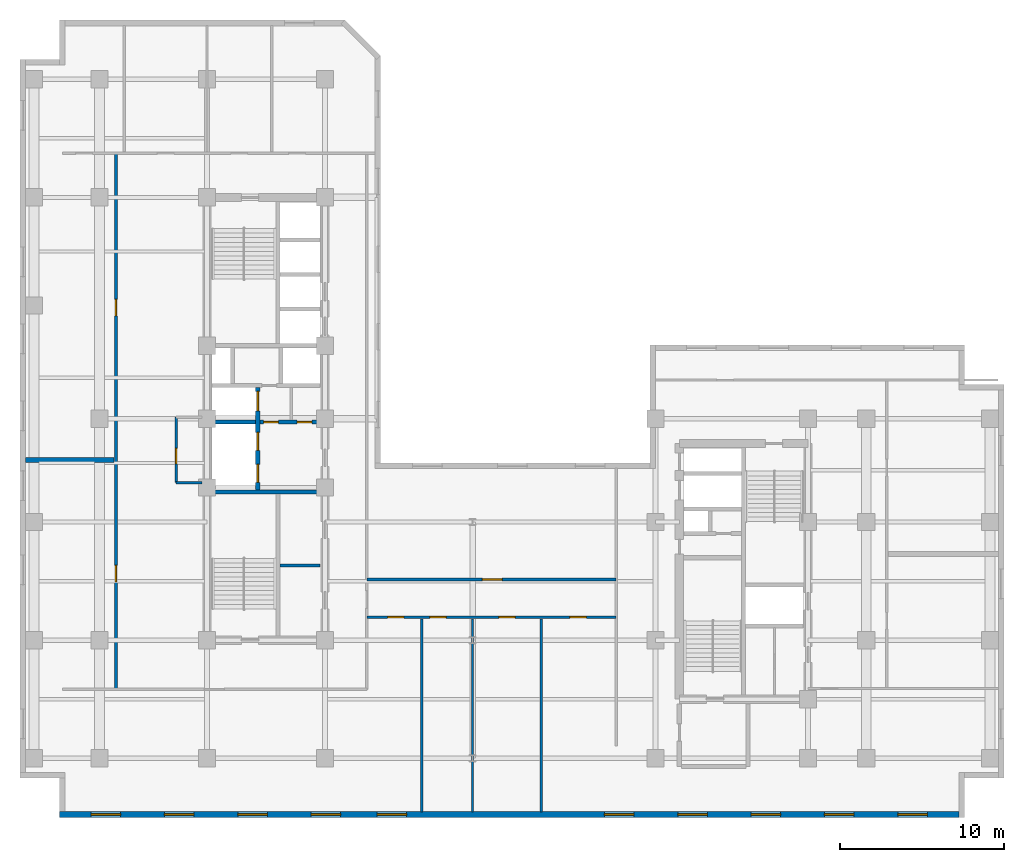
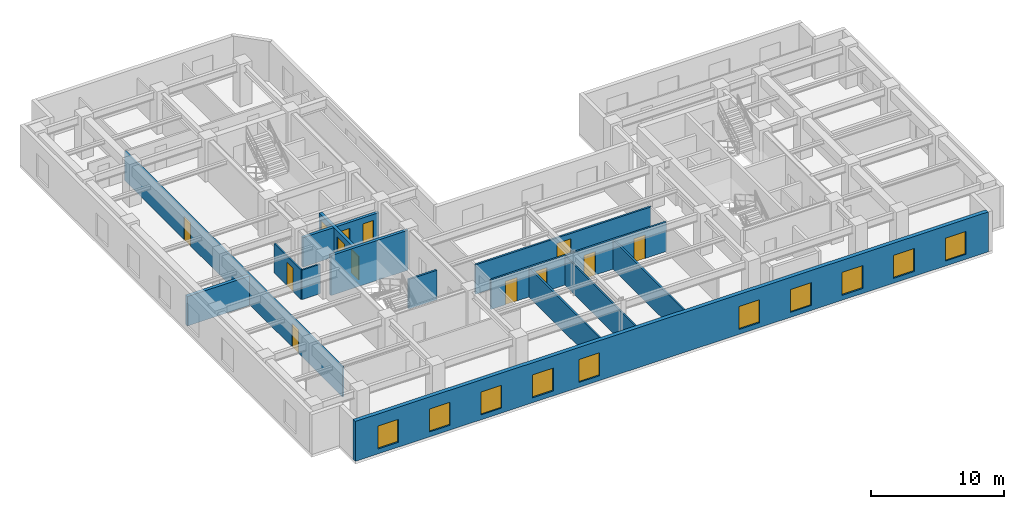
# One storey, part 3 of 9: 14 walls, 13 doors, 10 windows, 23 openings.
"""IFC4 building model written with IfcOpenShell, lengths in metres."""

from ifc_helpers import new_model, entity, si_unit, converted_unit, direction, frame, origin_with_axes, origin_2d_with_axis, place, context, subcontext, project, spatial, polyline, rectangle, outline, extrude, material, layer, layer_set, type_object, element, fill, save


model = new_model("IFC4")

# Units and contexts
model_context = context("Model", 3, precision=1e-05, world=origin_with_axes(), true_north=direction((0.0, 1.0)))
body_context = subcontext(model_context, "Body", "Model", "MODEL_VIEW")
ifc_project = project(units=[si_unit("LENGTHUNIT", "METRE"), si_unit("AREAUNIT", "SQUARE_METRE"), si_unit("VOLUMEUNIT", "CUBIC_METRE"), converted_unit("PLANEANGLEUNIT", "DEGREE", entity("IfcPlaneAngleMeasure", 0.017453292519943295), si_unit("PLANEANGLEUNIT", "RADIAN"), dimensions=[0, 0, 0, 0, 0, 0, 0]), si_unit("MASSUNIT", "GRAM", prefix="KILO"), si_unit("THERMODYNAMICTEMPERATUREUNIT", "KELVIN")], contexts=[model_context])

# Site, building, storey
site_placement = place(None, origin_with_axes())
site = spatial("IfcSite", under=ifc_project, at=site_placement, CompositionType="ELEMENT")
building_placement = place(site_placement, origin_with_axes())
building = spatial("IfcBuilding", under=site, at=building_placement, Name="Varnlund Millrace Tower", CompositionType="ELEMENT")
storey_placement = place(building_placement, frame((0.0, 0.0, 140.7), z_axis=(0.0, 0.0, 1.0), x_axis=(1.0, 0.0, 0.0)))
storey = spatial("IfcBuildingStorey", under=building, at=storey_placement, Name="L34", CompositionType="ELEMENT", Elevation=140.7)

# Wall, openings, windows
ifc_material_1 = material(Name="Precast concrete C50/60", Category="concrete")
ifc_layer_1 = layer(ifc_material_1, 0.34, Name="Precast concrete C50/60")
ifc_layer_set_1 = layer_set([ifc_layer_1], Name="Precast concrete C50/60")
wall_type_1 = type_object("IfcWallType", Name="Type-ExtWall-Precast-Upper-340", PredefinedType="SOLIDWALL", material=ifc_layer_set_1)
wall_1_placement = place(storey_placement, frame((57.26, 0.17, 0.0), z_axis=(0.0, 0.0, 1.0), x_axis=(-1.0, 0.0, 0.0)))
wall_1 = element("IfcWall", 1, at=wall_1_placement, inside=storey, type_object=wall_type_1, Name="Type-ExtWall-Precast-Upper-340", PredefinedType="SOLIDWALL", context=body_context, shape_type="SweptSolid", body=[
    extrude(outline(polyline([(0.0, -0.17), (54.86, -0.17), (54.86, 0.17), (0.0, 0.17), (0.0, -0.17)])), origin_with_axes(), (0.0, 0.0, 1.0), 3.66),
])
opening_1_placement = place(wall_1_placement, frame((2.836, 0.0, 0.45), z_axis=(0.0, 0.0, 1.0), x_axis=(1.0, 0.0, 0.0)))
opening_1 = element("IfcOpeningElement", 2, at=opening_1_placement, cuts=wall_1, Name="Opening L34:WN-08", PredefinedType="OPENING", context=body_context, shape_type="SweptSolid", body=[
    extrude(rectangle(XDim=1.8, YDim=0.36, at=origin_2d_with_axis()), origin_with_axes(), (0.0, 0.0, 1.0), 2.1),
])
opening_2_placement = place(wall_1_placement, frame((7.307, 0.0, 0.45), z_axis=(0.0, 0.0, 1.0), x_axis=(1.0, 0.0, 0.0)))
opening_2 = element("IfcOpeningElement", 3, at=opening_2_placement, cuts=wall_1, Name="Opening L34:WN-09", PredefinedType="OPENING", context=body_context, shape_type="SweptSolid", body=[
    extrude(rectangle(XDim=1.8, YDim=0.36, at=origin_2d_with_axis()), origin_with_axes(), (0.0, 0.0, 1.0), 2.1),
])
opening_3_placement = place(wall_1_placement, frame((11.779, 0.0, 0.45), z_axis=(0.0, 0.0, 1.0), x_axis=(1.0, 0.0, 0.0)))
opening_3 = element("IfcOpeningElement", 4, at=opening_3_placement, cuts=wall_1, Name="Opening L34:WN-10", PredefinedType="OPENING", context=body_context, shape_type="SweptSolid", body=[
    extrude(rectangle(XDim=1.8, YDim=0.36, at=origin_2d_with_axis()), origin_with_axes(), (0.0, 0.0, 1.0), 2.1),
])
opening_4_placement = place(wall_1_placement, frame((16.251, 0.0, 0.45), z_axis=(0.0, 0.0, 1.0), x_axis=(1.0, 0.0, 0.0)))
opening_4 = element("IfcOpeningElement", 5, at=opening_4_placement, cuts=wall_1, Name="Opening L34:WN-11", PredefinedType="OPENING", context=body_context, shape_type="SweptSolid", body=[
    extrude(rectangle(XDim=1.8, YDim=0.36, at=origin_2d_with_axis()), origin_with_axes(), (0.0, 0.0, 1.0), 2.1),
])
opening_5_placement = place(wall_1_placement, frame((20.723, 0.0, 0.45), z_axis=(0.0, 0.0, 1.0), x_axis=(1.0, 0.0, 0.0)))
opening_5 = element("IfcOpeningElement", 6, at=opening_5_placement, cuts=wall_1, Name="Opening L34:WN-12", PredefinedType="OPENING", context=body_context, shape_type="SweptSolid", body=[
    extrude(rectangle(XDim=1.8, YDim=0.36, at=origin_2d_with_axis()), origin_with_axes(), (0.0, 0.0, 1.0), 2.1),
])
opening_6_placement = place(wall_1_placement, frame((34.588, 0.0, 0.45), z_axis=(0.0, 0.0, 1.0), x_axis=(1.0, 0.0, 0.0)))
opening_6 = element("IfcOpeningElement", 7, at=opening_6_placement, cuts=wall_1, Name="Opening L34:WN-13", PredefinedType="OPENING", context=body_context, shape_type="SweptSolid", body=[
    extrude(rectangle(XDim=1.8, YDim=0.36, at=origin_2d_with_axis()), origin_with_axes(), (0.0, 0.0, 1.0), 2.1),
])
opening_7_placement = place(wall_1_placement, frame((38.609, 0.0, 0.45), z_axis=(0.0, 0.0, 1.0), x_axis=(1.0, 0.0, 0.0)))
opening_7 = element("IfcOpeningElement", 8, at=opening_7_placement, cuts=wall_1, Name="Opening L34:WN-14", PredefinedType="OPENING", context=body_context, shape_type="SweptSolid", body=[
    extrude(rectangle(XDim=1.8, YDim=0.36, at=origin_2d_with_axis()), origin_with_axes(), (0.0, 0.0, 1.0), 2.1),
])
opening_8_placement = place(wall_1_placement, frame((43.081, 0.0, 0.45), z_axis=(0.0, 0.0, 1.0), x_axis=(1.0, 0.0, 0.0)))
opening_8 = element("IfcOpeningElement", 9, at=opening_8_placement, cuts=wall_1, Name="Opening L34:WN-15", PredefinedType="OPENING", context=body_context, shape_type="SweptSolid", body=[
    extrude(rectangle(XDim=1.8, YDim=0.36, at=origin_2d_with_axis()), origin_with_axes(), (0.0, 0.0, 1.0), 2.1),
])
opening_9_placement = place(wall_1_placement, frame((47.553, 0.0, 0.45), z_axis=(0.0, 0.0, 1.0), x_axis=(1.0, 0.0, 0.0)))
opening_9 = element("IfcOpeningElement", 10, at=opening_9_placement, cuts=wall_1, Name="Opening L34:WN-16", PredefinedType="OPENING", context=body_context, shape_type="SweptSolid", body=[
    extrude(rectangle(XDim=1.8, YDim=0.36, at=origin_2d_with_axis()), origin_with_axes(), (0.0, 0.0, 1.0), 2.1),
])
opening_10_placement = place(wall_1_placement, frame((52.024, 0.0, 0.45), z_axis=(0.0, 0.0, 1.0), x_axis=(1.0, 0.0, 0.0)))
opening_10 = element("IfcOpeningElement", 11, at=opening_10_placement, cuts=wall_1, Name="Opening L34:WN-17", PredefinedType="OPENING", context=body_context, shape_type="SweptSolid", body=[
    extrude(rectangle(XDim=1.8, YDim=0.36, at=origin_2d_with_axis()), origin_with_axes(), (0.0, 0.0, 1.0), 2.1),
])
ifc_material_2 = material(Name="Argon low-e triple glazing in thermally broken bronze frame", Category="glass")
window_type = type_object("IfcWindowType", Name="Type-Window-Punched-1800X2100", PartitioningType="SINGLE_PANEL", PredefinedType="WINDOW", material=ifc_material_2)
window_1_placement = place(wall_1_placement, frame((2.836, 0.0, 0.45), z_axis=(0.0, 0.0, 1.0), x_axis=(1.0, 0.0, 0.0)))
window_1 = element("IfcWindow", 12, at=window_1_placement, inside=storey, type_object=window_type, Name="Type-Window-Punched-1800X2100", OverallHeight=2.1, OverallWidth=1.8, PredefinedType="WINDOW", context=body_context, shape_type="SweptSolid", body=[
    extrude(rectangle(XDim=1.8, YDim=0.09, at=origin_2d_with_axis()), origin_with_axes(), (0.0, 0.0, 1.0), 2.1),
])
fill(opening_1, window_1)
window_2_placement = place(wall_1_placement, frame((7.307, 0.0, 0.45), z_axis=(0.0, 0.0, 1.0), x_axis=(1.0, 0.0, 0.0)))
window_2 = element("IfcWindow", 13, at=window_2_placement, inside=storey, type_object=window_type, Name="Type-Window-Punched-1800X2100", OverallHeight=2.1, OverallWidth=1.8, PredefinedType="WINDOW", context=body_context, shape_type="SweptSolid", body=[
    extrude(rectangle(XDim=1.8, YDim=0.09, at=origin_2d_with_axis()), origin_with_axes(), (0.0, 0.0, 1.0), 2.1),
])
fill(opening_2, window_2)
window_3_placement = place(wall_1_placement, frame((11.779, 0.0, 0.45), z_axis=(0.0, 0.0, 1.0), x_axis=(1.0, 0.0, 0.0)))
window_3 = element("IfcWindow", 14, at=window_3_placement, inside=storey, type_object=window_type, Name="Type-Window-Punched-1800X2100", OverallHeight=2.1, OverallWidth=1.8, PredefinedType="WINDOW", context=body_context, shape_type="SweptSolid", body=[
    extrude(rectangle(XDim=1.8, YDim=0.09, at=origin_2d_with_axis()), origin_with_axes(), (0.0, 0.0, 1.0), 2.1),
])
fill(opening_3, window_3)
window_4_placement = place(wall_1_placement, frame((16.251, 0.0, 0.45), z_axis=(0.0, 0.0, 1.0), x_axis=(1.0, 0.0, 0.0)))
window_4 = element("IfcWindow", 15, at=window_4_placement, inside=storey, type_object=window_type, Name="Type-Window-Punched-1800X2100", OverallHeight=2.1, OverallWidth=1.8, PredefinedType="WINDOW", context=body_context, shape_type="SweptSolid", body=[
    extrude(rectangle(XDim=1.8, YDim=0.09, at=origin_2d_with_axis()), origin_with_axes(), (0.0, 0.0, 1.0), 2.1),
])
fill(opening_4, window_4)
window_5_placement = place(wall_1_placement, frame((20.723, 0.0, 0.45), z_axis=(0.0, 0.0, 1.0), x_axis=(1.0, 0.0, 0.0)))
window_5 = element("IfcWindow", 16, at=window_5_placement, inside=storey, type_object=window_type, Name="Type-Window-Punched-1800X2100", OverallHeight=2.1, OverallWidth=1.8, PredefinedType="WINDOW", context=body_context, shape_type="SweptSolid", body=[
    extrude(rectangle(XDim=1.8, YDim=0.09, at=origin_2d_with_axis()), origin_with_axes(), (0.0, 0.0, 1.0), 2.1),
])
fill(opening_5, window_5)
window_6_placement = place(wall_1_placement, frame((34.588, 0.0, 0.45), z_axis=(0.0, 0.0, 1.0), x_axis=(1.0, 0.0, 0.0)))
window_6 = element("IfcWindow", 17, at=window_6_placement, inside=storey, type_object=window_type, Name="Type-Window-Punched-1800X2100", OverallHeight=2.1, OverallWidth=1.8, PredefinedType="WINDOW", context=body_context, shape_type="SweptSolid", body=[
    extrude(rectangle(XDim=1.8, YDim=0.09, at=origin_2d_with_axis()), origin_with_axes(), (0.0, 0.0, 1.0), 2.1),
])
fill(opening_6, window_6)
window_7_placement = place(wall_1_placement, frame((38.609, 0.0, 0.45), z_axis=(0.0, 0.0, 1.0), x_axis=(1.0, 0.0, 0.0)))
window_7 = element("IfcWindow", 18, at=window_7_placement, inside=storey, type_object=window_type, Name="Type-Window-Punched-1800X2100", OverallHeight=2.1, OverallWidth=1.8, PredefinedType="WINDOW", context=body_context, shape_type="SweptSolid", body=[
    extrude(rectangle(XDim=1.8, YDim=0.09, at=origin_2d_with_axis()), origin_with_axes(), (0.0, 0.0, 1.0), 2.1),
])
fill(opening_7, window_7)
window_8_placement = place(wall_1_placement, frame((43.081, 0.0, 0.45), z_axis=(0.0, 0.0, 1.0), x_axis=(1.0, 0.0, 0.0)))
window_8 = element("IfcWindow", 19, at=window_8_placement, inside=storey, type_object=window_type, Name="Type-Window-Punched-1800X2100", OverallHeight=2.1, OverallWidth=1.8, PredefinedType="WINDOW", context=body_context, shape_type="SweptSolid", body=[
    extrude(rectangle(XDim=1.8, YDim=0.09, at=origin_2d_with_axis()), origin_with_axes(), (0.0, 0.0, 1.0), 2.1),
])
fill(opening_8, window_8)
window_9_placement = place(wall_1_placement, frame((47.553, 0.0, 0.45), z_axis=(0.0, 0.0, 1.0), x_axis=(1.0, 0.0, 0.0)))
window_9 = element("IfcWindow", 20, at=window_9_placement, inside=storey, type_object=window_type, Name="Type-Window-Punched-1800X2100", OverallHeight=2.1, OverallWidth=1.8, PredefinedType="WINDOW", context=body_context, shape_type="SweptSolid", body=[
    extrude(rectangle(XDim=1.8, YDim=0.09, at=origin_2d_with_axis()), origin_with_axes(), (0.0, 0.0, 1.0), 2.1),
])
fill(opening_9, window_9)
window_10_placement = place(wall_1_placement, frame((52.024, 0.0, 0.45), z_axis=(0.0, 0.0, 1.0), x_axis=(1.0, 0.0, 0.0)))
window_10 = element("IfcWindow", 21, at=window_10_placement, inside=storey, type_object=window_type, Name="Type-Window-Punched-1800X2100", OverallHeight=2.1, OverallWidth=1.8, PredefinedType="WINDOW", context=body_context, shape_type="SweptSolid", body=[
    extrude(rectangle(XDim=1.8, YDim=0.09, at=origin_2d_with_axis()), origin_with_axes(), (0.0, 0.0, 1.0), 2.1),
])
fill(opening_10, window_10)

# Walls
ifc_material_3 = material(Name="Double-stud STC-60 conference acoustic partition", Category="gypsum")
ifc_layer_2 = layer(ifc_material_3, 0.28, Name="Double-stud STC-60 conference acoustic partition")
ifc_layer_set_2 = layer_set([ifc_layer_2], Name="Double-stud STC-60 conference acoustic partition")
wall_type_2 = type_object("IfcWallType", Name="Type-Partition-Acoustic-280", PredefinedType="PARTITIONING", material=ifc_layer_set_2)
wall_2_placement = place(storey_placement, frame((0.335, 21.783, 0.0), z_axis=(0.0, 0.0, 1.0), x_axis=(1.0, 0.0, 0.0)))
element("IfcWall", 22, at=wall_2_placement, inside=storey, type_object=wall_type_2, Name="Type-Partition-Acoustic-280", PredefinedType="PARTITIONING", context=body_context, shape_type="SweptSolid", body=[
    extrude(outline(polyline([(0.0, -0.14), (5.395, -0.14), (5.395, 0.14), (0.0, 0.14), (0.0, -0.14)])), origin_with_axes(), (0.0, 0.0, 1.0), 2.7),
])
ifc_material_4 = material(Name="Fire-rated gypsum board on cold-formed steel framing", Category="steel")
ifc_layer_3 = layer(ifc_material_4, 0.16, Name="Fire-rated gypsum board on cold-formed steel framing")
ifc_layer_set_3 = layer_set([ifc_layer_3], Name="Fire-rated gypsum board on cold-formed steel framing")
wall_type_3 = type_object("IfcWallType", Name="Type-Partition-Corridor-160", PredefinedType="PARTITIONING", material=ifc_layer_set_3)
wall_3_placement = place(storey_placement, frame((15.84, 15.35, 0.0), z_axis=(0.0, 0.0, 1.0), x_axis=(1.0, 0.0, 0.0)))
element("IfcWall", 23, at=wall_3_placement, inside=storey, type_object=wall_type_3, Name="Type-Partition-Corridor-160", PredefinedType="PARTITIONING", context=body_context, shape_type="SweptSolid", body=[
    extrude(outline(polyline([(0.0, -0.08), (2.46, -0.08), (2.46, 0.08), (0.0, 0.08), (0.0, -0.08)])), origin_with_axes(), (0.0, 0.0, 1.0), 2.7),
])

# Wall, openings, doors
wall_4_placement = place(storey_placement, frame((5.85, 7.8, 0.0), z_axis=(0.0, 0.0, 1.0), x_axis=(0.0, 1.0, 0.0)))
wall_4 = element("IfcWall", 24, at=wall_4_placement, inside=storey, type_object=wall_type_3, Name="Type-Partition-Corridor-160", PredefinedType="PARTITIONING", context=body_context, shape_type="SweptSolid", body=[
    extrude(outline(polyline([(0.0, -0.08), (32.7, -0.08), (32.7, 0.08), (0.0, 0.08), (0.0, -0.08)])), origin_with_axes(), (0.0, 0.0, 1.0), 2.7),
])
opening_11_placement = place(wall_4_placement, frame((7.0565, 0.0, 0.0), z_axis=(0.0, 0.0, 1.0), x_axis=(1.0, 0.0, 0.0)))
opening_11 = element("IfcOpeningElement", 25, at=opening_11_placement, cuts=wall_4, Name="Opening L34:DR-W-01", PredefinedType="OPENING", context=body_context, shape_type="SweptSolid", body=[
    extrude(rectangle(XDim=1.0, YDim=0.18, at=origin_2d_with_axis()), origin_with_axes(), (0.0, 0.0, 1.0), 2.15),
])
opening_12_placement = place(wall_4_placement, frame((23.2765, 0.0, 0.0), z_axis=(0.0, 0.0, 1.0), x_axis=(1.0, 0.0, 0.0)))
opening_12 = element("IfcOpeningElement", 26, at=opening_12_placement, cuts=wall_4, Name="Opening L34:DR-W-02", PredefinedType="OPENING", context=body_context, shape_type="SweptSolid", body=[
    extrude(rectangle(XDim=1.0, YDim=0.18, at=origin_2d_with_axis()), origin_with_axes(), (0.0, 0.0, 1.0), 2.15),
])
ifc_material_5 = material(Name="Solid-core white oak and bronze frame door")
door_type_1 = type_object("IfcDoorType", Name="Type-IntDoor-Office-1000X2150", OperationType="NOTDEFINED", PredefinedType="DOOR", material=ifc_material_5)
door_1_placement = place(wall_4_placement, frame((7.0565, 0.0, 0.0), z_axis=(0.0, 0.0, 1.0), x_axis=(1.0, 0.0, 0.0)))
door_1 = element("IfcDoor", 27, at=door_1_placement, inside=storey, type_object=door_type_1, Name="Type-IntDoor-Office-1000X2150", OperationType="SINGLE_SWING_LEFT", OverallHeight=2.15, OverallWidth=1.0, PredefinedType="DOOR", context=body_context, shape_type="SweptSolid", body=[
    extrude(rectangle(XDim=1.0, YDim=0.09, at=origin_2d_with_axis()), origin_with_axes(), (0.0, 0.0, 1.0), 2.15),
])
fill(opening_11, door_1)
door_2_placement = place(wall_4_placement, frame((23.2765, 0.0, 0.0), z_axis=(0.0, 0.0, 1.0), x_axis=(1.0, 0.0, 0.0)))
door_2 = element("IfcDoor", 28, at=door_2_placement, inside=storey, type_object=door_type_1, Name="Type-IntDoor-Office-1000X2150", OperationType="SINGLE_SWING_RIGHT", OverallHeight=2.15, OverallWidth=1.0, PredefinedType="DOOR", context=body_context, shape_type="SweptSolid", body=[
    extrude(rectangle(XDim=1.0, YDim=0.09, at=origin_2d_with_axis()), origin_with_axes(), (0.0, 0.0, 1.0), 2.15),
])
fill(opening_12, door_2)

wall_5_placement = place(storey_placement, frame((21.15, 12.2, 0.0), z_axis=(0.0, 0.0, 1.0), x_axis=(1.0, 0.0, 0.0)))
wall_5 = element("IfcWall", 29, at=wall_5_placement, inside=storey, type_object=wall_type_3, Name="Type-Partition-Corridor-160", PredefinedType="PARTITIONING", context=body_context, shape_type="SweptSolid", body=[
    extrude(outline(polyline([(0.0, -0.08), (15.2, -0.08), (15.2, 0.08), (0.0, 0.08), (0.0, -0.08)])), origin_with_axes(), (0.0, 0.0, 1.0), 2.7),
])
opening_13_placement = place(wall_5_placement, frame((1.7645, 0.0, 0.0), z_axis=(0.0, 0.0, 1.0), x_axis=(1.0, 0.0, 0.0)))
opening_13 = element("IfcOpeningElement", 30, at=opening_13_placement, cuts=wall_5, Name="Opening L34:DR-KNS-01", PredefinedType="OPENING", context=body_context, shape_type="SweptSolid", body=[
    extrude(rectangle(XDim=1.0, YDim=0.18, at=origin_2d_with_axis()), origin_with_axes(), (0.0, 0.0, 1.0), 2.15),
])
opening_14_placement = place(wall_5_placement, frame((4.34, 0.0, 0.0), z_axis=(0.0, 0.0, 1.0), x_axis=(1.0, 0.0, 0.0)))
opening_14 = element("IfcOpeningElement", 31, at=opening_14_placement, cuts=wall_5, Name="Opening L34:DR-KNS-02", PredefinedType="OPENING", context=body_context, shape_type="SweptSolid", body=[
    extrude(rectangle(XDim=1.0, YDim=0.18, at=origin_2d_with_axis()), origin_with_axes(), (0.0, 0.0, 1.0), 2.15),
])
opening_15_placement = place(wall_5_placement, frame((8.545, 0.0, 0.0), z_axis=(0.0, 0.0, 1.0), x_axis=(1.0, 0.0, 0.0)))
opening_15 = element("IfcOpeningElement", 32, at=opening_15_placement, cuts=wall_5, Name="Opening L34:DR-KNS-03", PredefinedType="OPENING", context=body_context, shape_type="SweptSolid", body=[
    extrude(rectangle(XDim=1.0, YDim=0.18, at=origin_2d_with_axis()), origin_with_axes(), (0.0, 0.0, 1.0), 2.15),
])
opening_16_placement = place(wall_5_placement, frame((12.88, 0.0, 0.0), z_axis=(0.0, 0.0, 1.0), x_axis=(1.0, 0.0, 0.0)))
opening_16 = element("IfcOpeningElement", 33, at=opening_16_placement, cuts=wall_5, Name="Opening L34:DR-KNS-04", PredefinedType="OPENING", context=body_context, shape_type="SweptSolid", body=[
    extrude(rectangle(XDim=1.0, YDim=0.18, at=origin_2d_with_axis()), origin_with_axes(), (0.0, 0.0, 1.0), 2.15),
])
door_3_placement = place(wall_5_placement, frame((1.7645, 0.0, 0.0), z_axis=(0.0, 0.0, 1.0), x_axis=(1.0, 0.0, 0.0)))
door_3 = element("IfcDoor", 34, at=door_3_placement, inside=storey, type_object=door_type_1, Name="Type-IntDoor-Office-1000X2150", OperationType="SINGLE_SWING_LEFT", OverallHeight=2.15, OverallWidth=1.0, PredefinedType="DOOR", context=body_context, shape_type="SweptSolid", body=[
    extrude(rectangle(XDim=1.0, YDim=0.09, at=origin_2d_with_axis()), origin_with_axes(), (0.0, 0.0, 1.0), 2.15),
])
fill(opening_13, door_3)
door_4_placement = place(wall_5_placement, frame((4.34, 0.0, 0.0), z_axis=(0.0, 0.0, 1.0), x_axis=(1.0, 0.0, 0.0)))
door_4 = element("IfcDoor", 35, at=door_4_placement, inside=storey, type_object=door_type_1, Name="Type-IntDoor-Office-1000X2150", OperationType="SINGLE_SWING_RIGHT", OverallHeight=2.15, OverallWidth=1.0, PredefinedType="DOOR", context=body_context, shape_type="SweptSolid", body=[
    extrude(rectangle(XDim=1.0, YDim=0.09, at=origin_2d_with_axis()), origin_with_axes(), (0.0, 0.0, 1.0), 2.15),
])
fill(opening_14, door_4)
door_5_placement = place(wall_5_placement, frame((8.545, 0.0, 0.0), z_axis=(0.0, 0.0, 1.0), x_axis=(1.0, 0.0, 0.0)))
door_5 = element("IfcDoor", 36, at=door_5_placement, inside=storey, type_object=door_type_1, Name="Type-IntDoor-Office-1000X2150", OperationType="SINGLE_SWING_LEFT", OverallHeight=2.15, OverallWidth=1.0, PredefinedType="DOOR", context=body_context, shape_type="SweptSolid", body=[
    extrude(rectangle(XDim=1.0, YDim=0.09, at=origin_2d_with_axis()), origin_with_axes(), (0.0, 0.0, 1.0), 2.15),
])
fill(opening_15, door_5)
door_6_placement = place(wall_5_placement, frame((12.88, 0.0, 0.0), z_axis=(0.0, 0.0, 1.0), x_axis=(1.0, 0.0, 0.0)))
door_6 = element("IfcDoor", 37, at=door_6_placement, inside=storey, type_object=door_type_1, Name="Type-IntDoor-Office-1000X2150", OperationType="SINGLE_SWING_RIGHT", OverallHeight=2.15, OverallWidth=1.0, PredefinedType="DOOR", context=body_context, shape_type="SweptSolid", body=[
    extrude(rectangle(XDim=1.0, YDim=0.09, at=origin_2d_with_axis()), origin_with_axes(), (0.0, 0.0, 1.0), 2.15),
])
fill(opening_16, door_6)

# Wall, opening, door
wall_6_placement = place(storey_placement, frame((21.15, 14.5, 0.0), z_axis=(0.0, 0.0, 1.0), x_axis=(1.0, 0.0, 0.0)))
wall_6 = element("IfcWall", 38, at=wall_6_placement, inside=storey, type_object=wall_type_3, Name="Type-Partition-Corridor-160", PredefinedType="PARTITIONING", context=body_context, shape_type="SweptSolid", body=[
    extrude(outline(polyline([(0.0, -0.08), (15.2, -0.08), (15.2, 0.08), (0.0, 0.08), (0.0, -0.08)])), origin_with_axes(), (0.0, 0.0, 1.0), 2.7),
])
opening_17_placement = place(wall_6_placement, frame((7.65, 0.0, 0.0), z_axis=(0.0, 0.0, 1.0), x_axis=(1.0, 0.0, 0.0)))
opening_17 = element("IfcOpeningElement", 39, at=opening_17_placement, cuts=wall_6, Name="Opening L34:DR-KN-01", PredefinedType="OPENING", context=body_context, shape_type="SweptSolid", body=[
    extrude(rectangle(XDim=1.2, YDim=0.18, at=origin_2d_with_axis()), origin_with_axes(), (0.0, 0.0, 1.0), 2.2),
])
ifc_material_6 = material(Name="Wide executive white oak acoustic door")
door_type_2 = type_object("IfcDoorType", Name="Type-IntDoor-Exec-1200X2200", OperationType="NOTDEFINED", PredefinedType="DOOR", material=ifc_material_6)
door_7_placement = place(wall_6_placement, frame((7.65, 0.0, 0.0), z_axis=(0.0, 0.0, 1.0), x_axis=(1.0, 0.0, 0.0)))
door_7 = element("IfcDoor", 40, at=door_7_placement, inside=storey, type_object=door_type_2, Name="Type-IntDoor-Exec-1200X2200", OperationType="SINGLE_SWING_LEFT", OverallHeight=2.2, OverallWidth=1.2, PredefinedType="DOOR", context=body_context, shape_type="SweptSolid", body=[
    extrude(rectangle(XDim=1.2, YDim=0.09, at=origin_2d_with_axis()), origin_with_axes(), (0.0, 0.0, 1.0), 2.2),
])
fill(opening_17, door_7)

# Walls
ifc_material_7 = material(Name="Acoustic STC-50 gypsum board partition", Category="gypsum")
ifc_layer_4 = layer(ifc_material_7, 0.15, Name="Acoustic STC-50 gypsum board partition")
ifc_layer_set_4 = layer_set([ifc_layer_4], Name="Acoustic STC-50 gypsum board partition")
wall_type_4 = type_object("IfcWallType", Name="Type-Partition-Demising-150", PredefinedType="PARTITIONING", material=ifc_layer_set_4)
for number, where, z_axis, x_axis, name in (
    (41, (24.499, 0.335, 0.0), (0.0, 0.0, 1.0), (0.0, 1.0, 0.0), "Type-Partition-Demising-150"),
    (42, (31.79, 0.335, 0.0), (0.0, 0.0, 1.0), (0.0, 1.0, 0.0), "Type-Partition-Demising-150"),
):
    element("IfcWall", number, at=place(storey_placement, frame(where, z_axis=z_axis, x_axis=x_axis)), inside=storey, type_object=wall_type_4, Name=name, PredefinedType="PARTITIONING", context=body_context, shape_type="SweptSolid", body=[
        extrude(outline(polyline([(0.0, -0.075), (11.745, -0.075), (11.745, 0.075), (0.0, 0.075), (0.0, -0.075)])), origin_with_axes(), (0.0, 0.0, 1.0), 2.7),
    ])
ifc_material_8 = material(Name="Gypsum board tenant partition", Category="gypsum")
ifc_layer_5 = layer(ifc_material_8, 0.125, Name="Gypsum board tenant partition")
ifc_layer_set_5 = layer_set([ifc_layer_5], Name="Gypsum board tenant partition")
wall_type_5 = type_object("IfcWallType", Name="Type-Partition-Tenant-125", PredefinedType="PARTITIONING", material=ifc_layer_set_5)
wall_7_placement = place(storey_placement, frame((27.6, 0.335, 0.0), z_axis=(0.0, 0.0, 1.0), x_axis=(0.0, 1.0, 0.0)))
element("IfcWall", 43, at=wall_7_placement, inside=storey, type_object=wall_type_5, Name="Type-Partition-Tenant-125", PredefinedType="PARTITIONING", context=body_context, shape_type="SweptSolid", body=[
    extrude(outline(polyline([(0.0, -0.0625), (11.745, -0.0625), (11.745, 0.0625), (0.0, 0.0625), (0.0, -0.0625)])), origin_with_axes(), (0.0, 0.0, 1.0), 2.7),
])

# Wall, opening, door
ifc_material_9 = material(Name="Moisture-resistant gypsum restroom partition", Category="gypsum")
ifc_layer_6 = layer(ifc_material_9, 0.14, Name="Moisture-resistant gypsum restroom partition")
ifc_layer_set_6 = layer_set([ifc_layer_6], Name="Moisture-resistant gypsum restroom partition")
wall_type_6 = type_object("IfcWallType", Name="Type-Partition-Wet-140", PredefinedType="PARTITIONING", material=ifc_layer_set_6)
wall_8_placement = place(storey_placement, frame((9.52, 20.4, 0.0), z_axis=(0.0, 0.0, 1.0), x_axis=(0.0, 1.0, 0.0)))
wall_8 = element("IfcWall", 44, at=wall_8_placement, inside=storey, type_object=wall_type_6, Name="Type-Partition-Wet-140", PredefinedType="PARTITIONING", context=body_context, shape_type="SweptSolid", body=[
    extrude(outline(polyline([(0.0, -0.07), (4.0, -0.07), (4.0, 0.07), (0.0, 0.07), (0.0, -0.07)])), origin_with_axes(), (0.0, 0.0, 1.0), 2.7),
])
opening_18_placement = place(wall_8_placement, frame((1.625, 0.0, 0.0), z_axis=(0.0, 0.0, 1.0), x_axis=(1.0, 0.0, 0.0)))
opening_18 = element("IfcOpeningElement", 45, at=opening_18_placement, cuts=wall_8, Name="Opening L34:DR-CA-WCW", PredefinedType="OPENING", context=body_context, shape_type="SweptSolid", body=[
    extrude(rectangle(XDim=0.95, YDim=0.16, at=origin_2d_with_axis()), origin_with_axes(), (0.0, 0.0, 1.0), 2.15),
])
ifc_material_10 = material(Name="Solid-core acoustic office door")
door_type_3 = type_object("IfcDoorType", Name="Type-IntDoor-Tenant-950X2150", OperationType="NOTDEFINED", PredefinedType="DOOR", material=ifc_material_10)
door_8_placement = place(wall_8_placement, frame((1.625, 0.0, 0.0), z_axis=(0.0, 0.0, 1.0), x_axis=(1.0, 0.0, 0.0)))
door_8 = element("IfcDoor", 46, at=door_8_placement, inside=storey, type_object=door_type_3, Name="Type-IntDoor-Tenant-950X2150", OperationType="SINGLE_SWING_LEFT", OverallHeight=2.15, OverallWidth=0.95, PredefinedType="DOOR", context=body_context, shape_type="SweptSolid", body=[
    extrude(rectangle(XDim=0.95, YDim=0.084, at=origin_2d_with_axis()), origin_with_axes(), (0.0, 0.0, 1.0), 2.15),
])
fill(opening_18, door_8)

# Wall
wall_9_placement = place(storey_placement, frame((9.52, 20.4, 0.0), z_axis=(0.0, 0.0, 1.0), x_axis=(1.0, 0.0, 0.0)))
element("IfcWall", 47, at=wall_9_placement, inside=storey, type_object=wall_type_6, Name="Type-Partition-Wet-140", PredefinedType="PARTITIONING", context=body_context, shape_type="SweptSolid", body=[
    extrude(outline(polyline([(0.0, -0.07), (1.58, -0.07), (1.58, 0.07), (0.0, 0.07), (0.0, -0.07)])), origin_with_axes(), (0.0, 0.0, 1.0), 2.7),
])

# Wall, openings, doors
ifc_material_11 = material(Name="Concrete C60/75", Category="concrete")
ifc_layer_7 = layer(ifc_material_11, 0.25, Name="Concrete C60/75")
ifc_layer_set_7 = layer_set([ifc_layer_7], Name="Concrete C60/75")
wall_type_7 = type_object("IfcWallType", Name="Type-ShaftWall-Fire-250", PredefinedType="SOLIDWALL", material=ifc_layer_set_7)
wall_10_placement = place(storey_placement, frame((14.5, 19.95, 0.0), z_axis=(0.0, 0.0, 1.0), x_axis=(0.0, 1.0, 0.0)))
wall_10 = element("IfcWall", 48, at=wall_10_placement, inside=storey, type_object=wall_type_7, Name="Type-ShaftWall-Fire-250", PredefinedType="SOLIDWALL", context=body_context, shape_type="SweptSolid", body=[
    extrude(outline(polyline([(0.0, -0.125), (6.25, -0.125), (6.25, 0.125), (0.0, 0.125), (0.0, -0.125)])), origin_with_axes(), (0.0, 0.0, 1.0), 2.7),
])
opening_19_placement = place(wall_10_placement, frame((1.025, 0.0, 0.0), z_axis=(0.0, 0.0, 1.0), x_axis=(1.0, 0.0, 0.0)))
opening_19 = element("IfcOpeningElement", 49, at=opening_19_placement, cuts=wall_10, Name="Opening L34:LD-FSAE1", PredefinedType="OPENING", context=body_context, shape_type="SweptSolid", body=[
    extrude(rectangle(XDim=1.1, YDim=0.27, at=origin_2d_with_axis()), origin_with_axes(), (0.0, 0.0, 1.0), 2.15),
])
opening_20_placement = place(wall_10_placement, frame((2.975, 0.0, 0.0), z_axis=(0.0, 0.0, 1.0), x_axis=(1.0, 0.0, 0.0)))
opening_20 = element("IfcOpeningElement", 50, at=opening_20_placement, cuts=wall_10, Name="Opening L34:LD-FSAE2", PredefinedType="OPENING", context=body_context, shape_type="SweptSolid", body=[
    extrude(rectangle(XDim=1.1, YDim=0.27, at=origin_2d_with_axis()), origin_with_axes(), (0.0, 0.0, 1.0), 2.15),
])
opening_21_placement = place(wall_10_placement, frame((5.425, 0.0, 0.0), z_axis=(0.0, 0.0, 1.0), x_axis=(1.0, 0.0, 0.0)))
opening_21 = element("IfcOpeningElement", 51, at=opening_21_placement, cuts=wall_10, Name="Opening L34:LD-SRV1", PredefinedType="OPENING", context=body_context, shape_type="SweptSolid", body=[
    extrude(rectangle(XDim=1.2, YDim=0.27, at=origin_2d_with_axis()), origin_with_axes(), (0.0, 0.0, 1.0), 2.15),
])
ifc_material_12 = material(Name="Stainless and architectural bronze sliding landing door")
door_type_4 = type_object("IfcDoorType", Name="Type-LiftLandingDoor-1100X2150", OperationType="NOTDEFINED", PredefinedType="DOOR", material=ifc_material_12)
door_9_placement = place(wall_10_placement, frame((1.025, 0.0, 0.0), z_axis=(0.0, 0.0, 1.0), x_axis=(1.0, 0.0, 0.0)))
door_9 = element("IfcDoor", 52, at=door_9_placement, inside=storey, type_object=door_type_4, Name="Type-LiftLandingDoor-1100X2150", OperationType="SLIDING_TO_LEFT", OverallHeight=2.15, OverallWidth=1.1, PredefinedType="DOOR", context=body_context, shape_type="SweptSolid", body=[
    extrude(rectangle(XDim=1.1, YDim=0.09, at=origin_2d_with_axis()), origin_with_axes(), (0.0, 0.0, 1.0), 2.15),
])
fill(opening_19, door_9)
door_10_placement = place(wall_10_placement, frame((2.975, 0.0, 0.0), z_axis=(0.0, 0.0, 1.0), x_axis=(1.0, 0.0, 0.0)))
door_10 = element("IfcDoor", 53, at=door_10_placement, inside=storey, type_object=door_type_4, Name="Type-LiftLandingDoor-1100X2150", OperationType="SLIDING_TO_RIGHT", OverallHeight=2.15, OverallWidth=1.1, PredefinedType="DOOR", context=body_context, shape_type="SweptSolid", body=[
    extrude(rectangle(XDim=1.1, YDim=0.09, at=origin_2d_with_axis()), origin_with_axes(), (0.0, 0.0, 1.0), 2.15),
])
fill(opening_20, door_10)
ifc_material_13 = material(Name="Heavy-duty freight sliding landing door")
door_type_5 = type_object("IfcDoorType", Name="Type-LiftLandingDoor-Service-1200X2150", OperationType="NOTDEFINED", PredefinedType="DOOR", material=ifc_material_13)
door_11_placement = place(wall_10_placement, frame((5.425, 0.0, 0.0), z_axis=(0.0, 0.0, 1.0), x_axis=(1.0, 0.0, 0.0)))
door_11 = element("IfcDoor", 54, at=door_11_placement, inside=storey, type_object=door_type_5, Name="Type-LiftLandingDoor-Service-1200X2150", OperationType="DOUBLE_DOOR_SLIDING", OverallHeight=2.15, OverallWidth=1.2, PredefinedType="DOOR", context=body_context, shape_type="SweptSolid", body=[
    extrude(rectangle(XDim=1.2, YDim=0.09, at=origin_2d_with_axis()), origin_with_axes(), (0.0, 0.0, 1.0), 2.15),
])
fill(opening_21, door_11)

wall_11_placement = place(storey_placement, frame((11.7, 24.1, 0.0), z_axis=(0.0, 0.0, 1.0), x_axis=(1.0, 0.0, 0.0)))
wall_11 = element("IfcWall", 55, at=wall_11_placement, inside=storey, type_object=wall_type_7, Name="Type-ShaftWall-Fire-250", PredefinedType="SOLIDWALL", context=body_context, shape_type="SweptSolid", body=[
    extrude(outline(polyline([(0.0, -0.125), (6.6, -0.125), (6.6, 0.125), (0.0, 0.125), (0.0, -0.125)])), origin_with_axes(), (0.0, 0.0, 1.0), 2.7),
])
opening_22_placement = place(wall_11_placement, frame((3.6, 0.0, 0.0), z_axis=(0.0, 0.0, 1.0), x_axis=(1.0, 0.0, 0.0)))
opening_22 = element("IfcOpeningElement", 56, at=opening_22_placement, cuts=wall_11, Name="Opening L34:DR-CA-SUB1", PredefinedType="OPENING", context=body_context, shape_type="SweptSolid", body=[
    extrude(rectangle(XDim=0.9, YDim=0.27, at=origin_2d_with_axis()), origin_with_axes(), (0.0, 0.0, 1.0), 2.15),
])
opening_23_placement = place(wall_11_placement, frame((5.65, 0.0, 0.0), z_axis=(0.0, 0.0, 1.0), x_axis=(1.0, 0.0, 0.0)))
opening_23 = element("IfcOpeningElement", 57, at=opening_23_placement, cuts=wall_11, Name="Opening L34:DR-CA-SUB2", PredefinedType="OPENING", context=body_context, shape_type="SweptSolid", body=[
    extrude(rectangle(XDim=0.9, YDim=0.27, at=origin_2d_with_axis()), origin_with_axes(), (0.0, 0.0, 1.0), 2.15),
])
ifc_material_14 = material(Name="Fire-rated hollow steel service closet door", Category="steel")
door_type_6 = type_object("IfcDoorType", Name="Type-FireDoor-Closet-900X2150", OperationType="NOTDEFINED", PredefinedType="DOOR", material=ifc_material_14)
door_12_placement = place(wall_11_placement, frame((3.6, 0.0, 0.0), z_axis=(0.0, 0.0, 1.0), x_axis=(1.0, 0.0, 0.0)))
door_12 = element("IfcDoor", 58, at=door_12_placement, inside=storey, type_object=door_type_6, Name="Type-FireDoor-Closet-900X2150", OperationType="SINGLE_SWING_LEFT", OverallHeight=2.15, OverallWidth=0.9, PredefinedType="DOOR", context=body_context, shape_type="SweptSolid", body=[
    extrude(rectangle(XDim=0.9, YDim=0.09, at=origin_2d_with_axis()), origin_with_axes(), (0.0, 0.0, 1.0), 2.15),
])
fill(opening_22, door_12)
door_13_placement = place(wall_11_placement, frame((5.65, 0.0, 0.0), z_axis=(0.0, 0.0, 1.0), x_axis=(1.0, 0.0, 0.0)))
door_13 = element("IfcDoor", 59, at=door_13_placement, inside=storey, type_object=door_type_6, Name="Type-FireDoor-Closet-900X2150", OperationType="SINGLE_SWING_LEFT", OverallHeight=2.15, OverallWidth=0.9, PredefinedType="DOOR", context=body_context, shape_type="SweptSolid", body=[
    extrude(rectangle(XDim=0.9, YDim=0.09, at=origin_2d_with_axis()), origin_with_axes(), (0.0, 0.0, 1.0), 2.15),
])
fill(opening_23, door_13)

# Wall
wall_type_8 = type_object("IfcWallType", Name="Type-StairWall-Shear-250", PredefinedType="SHEAR", material=ifc_layer_set_7)
wall_12_placement = place(storey_placement, frame((11.65, 19.825, 0.0), z_axis=(0.0, 0.0, 1.0), x_axis=(1.0, 0.0, 0.0)))
element("IfcWall", 60, at=wall_12_placement, inside=storey, type_object=wall_type_8, Name="Type-StairWall-Shear-250", PredefinedType="SHEAR", context=body_context, shape_type="SweptSolid", body=[
    extrude(outline(polyline([(0.0, -0.125), (6.7, -0.125), (6.7, 0.125), (0.0, 0.125), (0.0, -0.125)])), origin_with_axes(), (0.0, 0.0, 1.0), 3.66),
])

save(model, "model.ifc")
